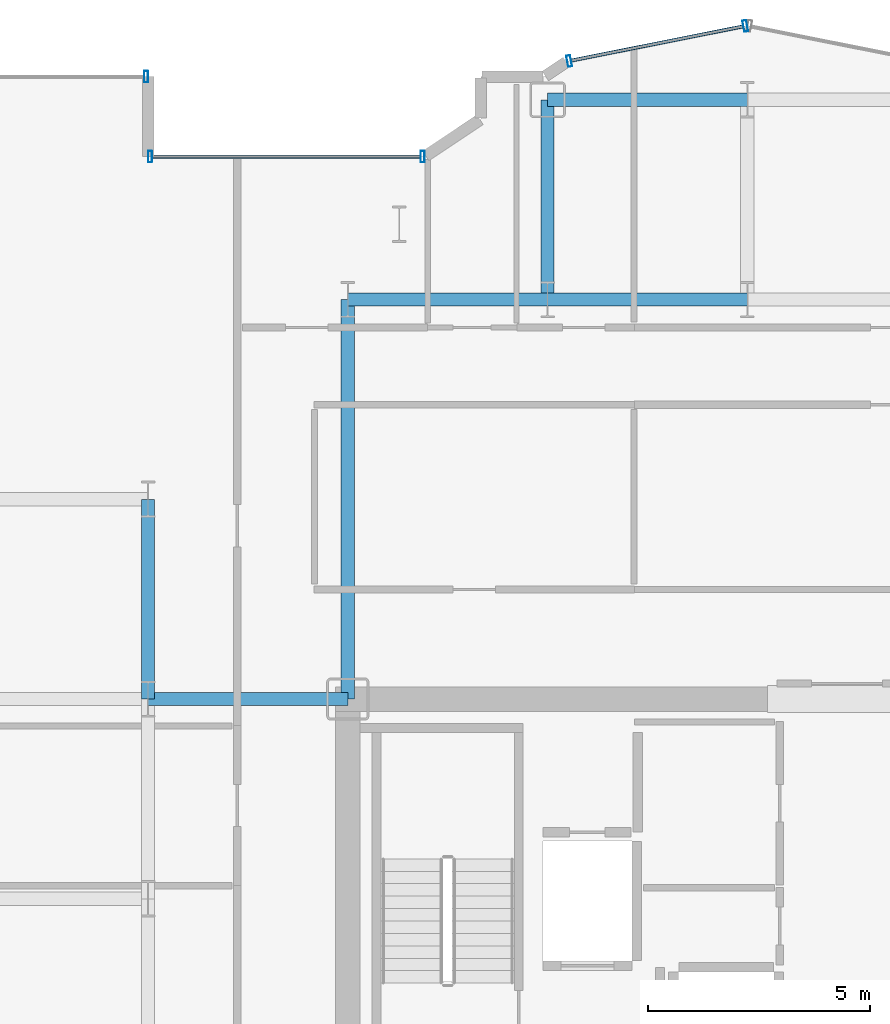
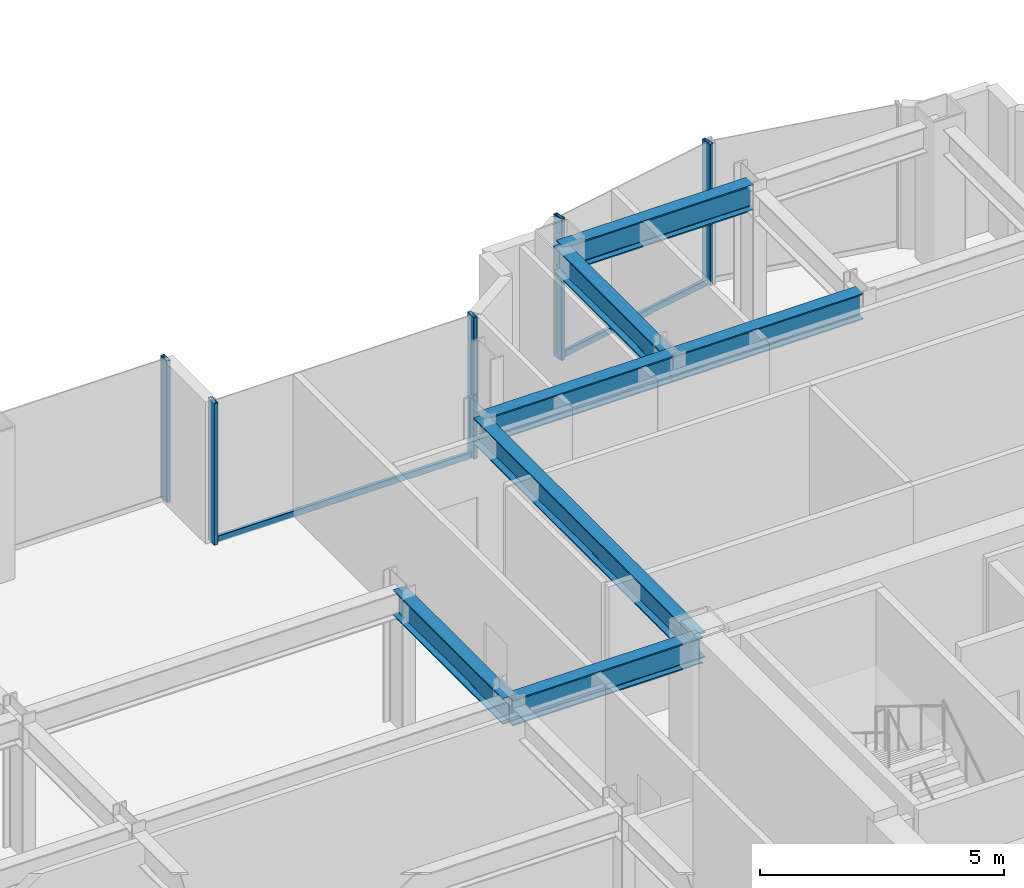
# One storey, part 11 of 23: 7 beams, 7 members, 3 elements without a shape of their own.
"""IFC4 building model written with IfcOpenShell, lengths in metres."""

from ifc_helpers import new_model, si_unit, direction, frame, origin, origin_2d, place, context, subcontext, project, spatial, hollow_rectangle, i_section, extrude, source, transform, mapped, material, layer, layer_set, material_profile, profile_set, type_object, element, aggregate, save


model = new_model("IFC4")

# Units and contexts
model_context = context("Model", 3, precision=1e-05, world=origin(), true_north=direction((0.0, 1.0)))
body_context = subcontext(model_context, "Body", "Model", "MODEL_VIEW")
ifc_project = project(units=[si_unit("LENGTHUNIT", "METRE"), si_unit("AREAUNIT", "SQUARE_METRE"), si_unit("VOLUMEUNIT", "CUBIC_METRE"), si_unit("PLANEANGLEUNIT", "RADIAN"), si_unit("MASSUNIT", "GRAM", prefix="KILO")], contexts=[model_context])

# Site, building, storey
site_placement = place(None, origin())
site = spatial("IfcSite", under=ifc_project, at=site_placement, CompositionType="ELEMENT")
building_placement = place(site_placement, origin())
building = spatial("IfcBuilding", under=site, at=building_placement, Name="Nefas-Gora Pilgrimage Tower", CompositionType="ELEMENT")
storey_placement = place(building_placement, frame((0.0, 0.0, 167.800048828125)))
storey = spatial("IfcBuildingStorey", under=building, at=storey_placement, Name="L41", CompositionType="ELEMENT", Elevation=167.800048828125)

# Beams
ifc_material_1 = material(Name="Steel S355", Category="steel")
ifc_material_profile_1 = material_profile(ifc_material_1, i_section(OverallWidth=0.300048828125, OverallDepth=0.64990234375, WebThickness=0.01611328125, FlangeThickness=0.031005859375, FilletRadius=0.027099609375, at=origin_2d()), Name="HEB 650")
ifc_profile_set_1 = profile_set([ifc_material_profile_1], Name="Steel S355")
beam_type = type_object("IfcBeamType", Name="BM-GIR-HEB650", PredefinedType="BEAM", material=ifc_profile_set_1)
shared_shape_1 = source(origin(), body_context, "Body", "SweptSolid", [
    extrude(i_section(OverallWidth=0.300048828125, OverallDepth=0.64990234375, WebThickness=0.01611328125, FlangeThickness=0.031005859375, FilletRadius=0.027099609375, at=origin_2d()), origin(), (0.0, 0.0, 1.0), 9.0),
])
beam_placement = place(storey_placement, frame((-11.25, 9.0, 3.224853515625), z_axis=(0.0, 1.0, 0.0), x_axis=(-1.0, 0.0, 0.0)))
element("IfcBeam", 1, at=beam_placement, inside=storey, type_object=beam_type, Name="L41 G-03 beam", PredefinedType="BEAM", context=body_context, shape_type="MappedRepresentation", body=[
    mapped(shared_shape_1, transform((0.0, 0.0, 0.0), x_axis=(1.0, 0.0, 0.0), y_axis=(0.0, 1.0, 0.0), z_axis=(0.0, 0.0, 1.0), scale=1.0)),
])
shared_shape_2 = source(origin(), body_context, "Body", "SweptSolid", [
    extrude(i_section(OverallWidth=0.300048828125, OverallDepth=0.64990234375, WebThickness=0.01611328125, FlangeThickness=0.031005859375, FilletRadius=0.027099609375, at=origin_2d()), origin(), (0.0, 0.0, 1.0), 4.5),
])
for number, where, z_axis, x_axis, name in (
    (2, (-15.75, 9.0, 3.224853515625), (0.0, 1.0, 0.0), (-1.0, 0.0, 0.0), "L41 G-03 beam"),
    (3, (-15.75, 9.0, 3.224853515625), (1.0, 0.0, 0.0), (0.0, 1.0, 0.0), "L41 G-03 beam"),
    (4, (-11.25, 18.0, 3.224853515625), (1.0, 0.0, 0.0), (0.0, 1.0, 0.0), "L41 G-03 beam"),
    (5, (-6.75, 18.0, 3.224853515625), (0.0, 1.0, 0.0), (-1.0, 0.0, 0.0), "L41 G-03 beam"),
    (6, (-6.75, 18.0, 3.224853515625), (1.0, 0.0, 0.0), (0.0, 1.0, 0.0), "L41 G-03 beam"),
    (7, (-6.75, 22.5, 3.224853515625), (1.0, 0.0, 0.0), (0.0, 1.0, 0.0), "L41 G-03 beam"),
):
    element("IfcBeam", number, at=place(storey_placement, frame(where, z_axis=z_axis, x_axis=x_axis)), inside=storey, type_object=beam_type, Name=name, PredefinedType="BEAM", context=body_context, shape_type="MappedRepresentation", body=[
        mapped(shared_shape_2, transform((0.0, 0.0, 0.0), x_axis=(1.0, 0.0, 0.0), y_axis=(0.0, 1.0, 0.0), z_axis=(0.0, 0.0, 1.0), scale=1.0)),
    ])

# Curtain wall, members
ifc_material_2 = material(Name="Dark ceramic-fritted solar-control aluminium-glass curtain wall", Category="aluminium")
ifc_layer_1 = layer(ifc_material_2, 0.219970703125)
ifc_layer_set_1 = layer_set([ifc_layer_1], Name="Dark ceramic-fritted solar-control aluminium-glass curtain wall")
curtain_wall_type_1 = type_object("IfcCurtainWallType", Name="CW-SYS-5", PredefinedType="NOTDEFINED", material=ifc_layer_set_1)
curtain_wall_1_placement = place(storey_placement, origin())
curtain_wall_1 = element("IfcCurtainWall", 8, at=curtain_wall_1_placement, inside=storey, type_object=curtain_wall_type_1, Name="L41 Unitised Curtain Wall CW5", PredefinedType="NOTDEFINED")
ifc_material_3 = material(Name="Anodised architectural aluminium", Category="aluminium")
ifc_material_profile_2 = material_profile(ifc_material_3, hollow_rectangle(XDim=0.090087890625, YDim=0.260009765625, WallThickness=0.006103515625, InnerFilletRadius=0.006103515625, OuterFilletRadius=0.011962890625, at=origin_2d()), Name="ALU MULLION 90x260")
ifc_profile_set_2 = profile_set([ifc_material_profile_2], Name="Anodised architectural aluminium")
member_type_1 = type_object("IfcMemberType", Name="CWM-MUL-5", PredefinedType="MULLION", material=ifc_profile_set_2)
shared_shape_3 = source(origin(), body_context, "Body", "SweptSolid", [
    extrude(hollow_rectangle(XDim=0.090087890625, YDim=0.260009765625, WallThickness=0.006103515625, InnerFilletRadius=0.006103515625, OuterFilletRadius=0.011962890625, at=origin_2d()), origin(), (0.0, 0.0, 1.0), 3.550048828125),
])
member_1_placement = place(storey_placement, frame((-2.294189453125, 24.16357421875, 0.0), z_axis=(0.0, 0.0, 1.0), x_axis=(-0.980782896852, -0.195102304554, 0.0)))
member_1 = element("IfcMember", 9, at=member_1_placement, type_object=member_type_1, Name="CW5 Mullion 1", PredefinedType="MULLION", context=body_context, shape_type="MappedRepresentation", body=[
    mapped(shared_shape_3, transform((0.0, 0.0, 0.0), x_axis=(1.0, 0.0, 0.0), y_axis=(0.0, 1.0, 0.0), z_axis=(0.0, 0.0, 1.0), scale=1.0)),
])
member_2_placement = place(storey_placement, frame((-6.26318359375, 23.3740234375, 0.0), z_axis=(0.0, 0.0, 1.0), x_axis=(-0.980782896852, -0.195102304554, 0.0)))
member_2 = element("IfcMember", 10, at=member_2_placement, type_object=member_type_1, Name="CW5 Mullion 2", PredefinedType="MULLION", context=body_context, shape_type="MappedRepresentation", body=[
    mapped(shared_shape_3, transform((0.0, 0.0, 0.0), x_axis=(1.0, 0.0, 0.0), y_axis=(0.0, 1.0, 0.0), z_axis=(0.0, 0.0, 1.0), scale=1.0)),
])

curtain_wall_2_placement = place(storey_placement, origin())
curtain_wall_2 = element("IfcCurtainWall", 11, at=curtain_wall_2_placement, inside=storey, type_object=curtain_wall_type_1, Name="L41 Unitised Curtain Wall CW5", PredefinedType="NOTDEFINED")
member_3_placement = place(storey_placement, frame((-9.56298828125, 21.219970703125, 0.0), z_axis=(0.0, 0.0, 1.0), x_axis=(-1.0, 0.0, 0.0)))
member_3 = element("IfcMember", 12, at=member_3_placement, type_object=member_type_1, Name="CW5 Mullion 1", PredefinedType="MULLION", context=body_context, shape_type="MappedRepresentation", body=[
    mapped(shared_shape_3, transform((0.0, 0.0, 0.0), x_axis=(1.0, 0.0, 0.0), y_axis=(0.0, 1.0, 0.0), z_axis=(0.0, 0.0, 1.0), scale=1.0)),
])
member_4_placement = place(storey_placement, frame((-15.705078125, 21.219970703125, 0.0), z_axis=(0.0, 0.0, 1.0), x_axis=(-1.0, 0.0, 0.0)))
member_4 = element("IfcMember", 13, at=member_4_placement, type_object=member_type_1, Name="CW5 Mullion 2", PredefinedType="MULLION", context=body_context, shape_type="MappedRepresentation", body=[
    mapped(shared_shape_3, transform((0.0, 0.0, 0.0), x_axis=(1.0, 0.0, 0.0), y_axis=(0.0, 1.0, 0.0), z_axis=(0.0, 0.0, 1.0), scale=1.0)),
])
ifc_material_profile_3 = material_profile(ifc_material_3, hollow_rectangle(XDim=0.080078125, YDim=0.159912109375, WallThickness=0.00439453125, InnerFilletRadius=0.00439453125, OuterFilletRadius=0.009033203125, at=origin_2d()), Name="ALU TRANSOM 80x160")
ifc_profile_set_3 = profile_set([ifc_material_profile_3], Name="Anodised architectural aluminium")
member_type_2 = type_object("IfcMemberType", Name="CWM-TRN-5", PredefinedType="USERDEFINED", material=ifc_profile_set_3)
shared_shape_4 = source(origin(), body_context, "Body", "SweptSolid", [
    extrude(hollow_rectangle(XDim=0.080078125, YDim=0.159912109375, WallThickness=0.00439453125, InnerFilletRadius=0.00439453125, OuterFilletRadius=0.009033203125, at=origin_2d()), origin(), (0.0, 0.0, 1.0), 6.052001953125),
])
member_5_placement = place(storey_placement, frame((-9.60791015625, 21.219970703125, 0.050048828125), z_axis=(-1.0, 0.0, 0.0), x_axis=(0.0, -1.0, 0.0)))
member_5 = element("IfcMember", 14, at=member_5_placement, type_object=member_type_2, Name="CW5 Spandrel Transom", ObjectType="TRANSOM", PredefinedType="USERDEFINED", context=body_context, shape_type="MappedRepresentation", body=[
    mapped(shared_shape_4, transform((0.0, 0.0, 0.0), x_axis=(1.0, 0.0, 0.0), y_axis=(0.0, 1.0, 0.0), z_axis=(0.0, 0.0, 1.0), scale=1.0)),
])
aggregate(curtain_wall_2, [member_3, member_4, member_5])

# Member
shared_shape_5 = source(origin(), body_context, "Body", "SweptSolid", [
    extrude(hollow_rectangle(XDim=0.080078125, YDim=0.159912109375, WallThickness=0.00439453125, InnerFilletRadius=0.00439453125, OuterFilletRadius=0.009033203125, at=origin_2d()), origin(), (0.0, 0.0, 1.0), 3.95654296875),
])
member_6_placement = place(storey_placement, frame((-2.33837890625, 24.15478515625, 0.050048828125), z_axis=(-0.980781880918, -0.195107411605, 0.0), x_axis=(0.195107411605, -0.980781880918, 0.0)))
member_6 = element("IfcMember", 15, at=member_6_placement, type_object=member_type_2, Name="CW5 Spandrel Transom", ObjectType="TRANSOM", PredefinedType="USERDEFINED", context=body_context, shape_type="MappedRepresentation", body=[
    mapped(shared_shape_5, transform((0.0, 0.0, 0.0), x_axis=(1.0, 0.0, 0.0), y_axis=(0.0, 1.0, 0.0), z_axis=(0.0, 0.0, 1.0), scale=1.0)),
])

aggregate(curtain_wall_1, [member_1, member_2, member_6])

# Curtain wall, member
ifc_layer_2 = layer(ifc_material_2, 0.219970703125)
ifc_layer_set_2 = layer_set([ifc_layer_2], Name="Dark ceramic-fritted solar-control aluminium-glass curtain wall")
curtain_wall_type_2 = type_object("IfcCurtainWallType", Name="CW-SYS-3", PredefinedType="NOTDEFINED", material=ifc_layer_set_2)
curtain_wall_3_placement = place(storey_placement, origin())
curtain_wall_3 = element("IfcCurtainWall", 16, at=curtain_wall_3_placement, inside=storey, type_object=curtain_wall_type_2, Name="L41 Unitised Curtain Wall CW3", PredefinedType="NOTDEFINED")
ifc_material_profile_4 = material_profile(ifc_material_3, hollow_rectangle(XDim=0.090087890625, YDim=0.260009765625, WallThickness=0.006103515625, InnerFilletRadius=0.006103515625, OuterFilletRadius=0.011962890625, at=origin_2d()), Name="ALU MULLION 90x260")
ifc_profile_set_4 = profile_set([ifc_material_profile_4], Name="Anodised architectural aluminium")
member_type_3 = type_object("IfcMemberType", Name="CWM-MUL-3", PredefinedType="MULLION", material=ifc_profile_set_4)
shared_shape_6 = source(origin(), body_context, "Body", "SweptSolid", [
    extrude(hollow_rectangle(XDim=0.090087890625, YDim=0.260009765625, WallThickness=0.006103515625, InnerFilletRadius=0.006103515625, OuterFilletRadius=0.011962890625, at=origin_2d()), origin(), (0.0, 0.0, 1.0), 3.550048828125),
])
member_7_placement = place(storey_placement, frame((-15.794921875, 23.02001953125, 0.0), z_axis=(0.0, 0.0, 1.0), x_axis=(-1.0, 0.0, 0.0)))
member_7 = element("IfcMember", 17, at=member_7_placement, type_object=member_type_3, Name="CW3 Mullion 1", PredefinedType="MULLION", context=body_context, shape_type="MappedRepresentation", body=[
    mapped(shared_shape_6, transform((0.0, 0.0, 0.0), x_axis=(1.0, 0.0, 0.0), y_axis=(0.0, 1.0, 0.0), z_axis=(0.0, 0.0, 1.0), scale=1.0)),
])
aggregate(curtain_wall_3, [member_7])

save(model, "model.ifc")
